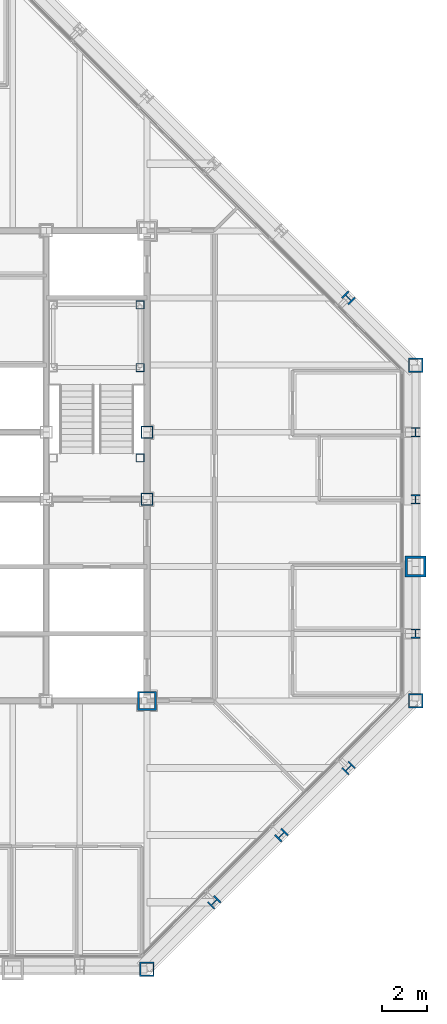
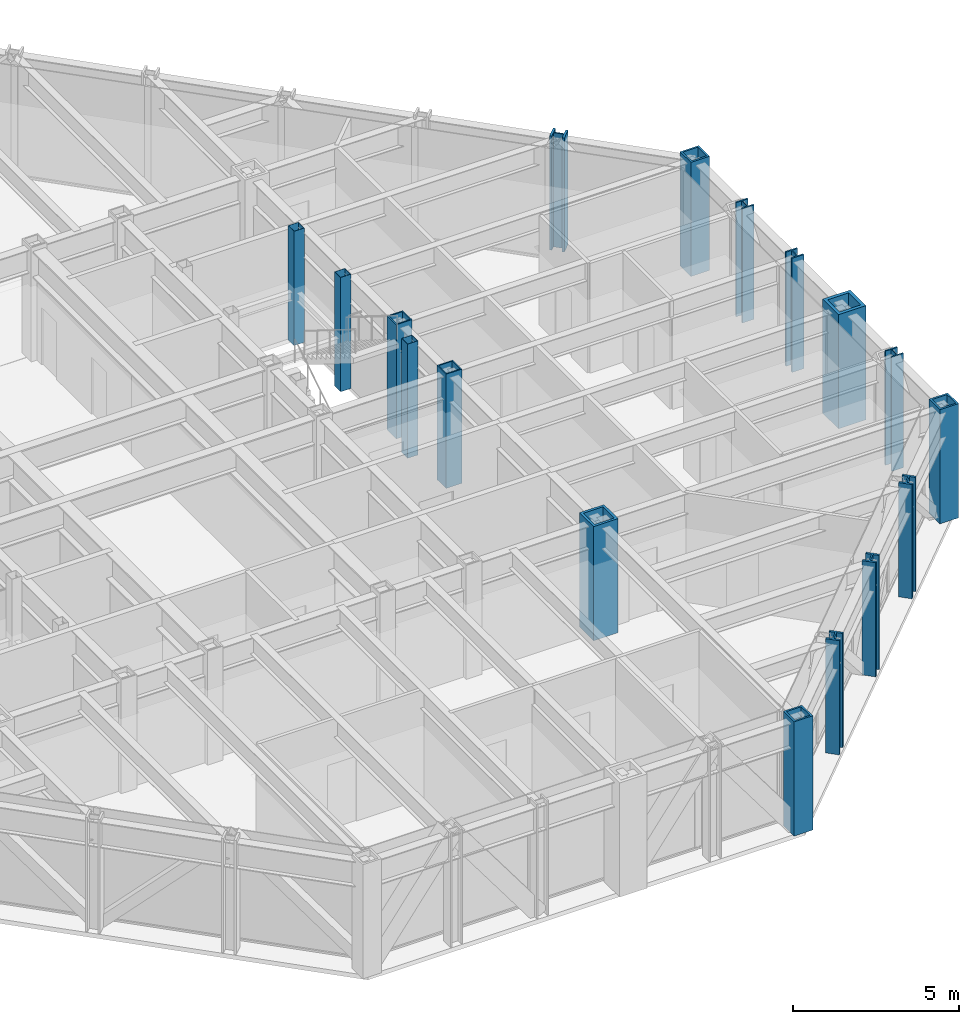
# One storey, part 3 of 16: 17 columns.
"""IFC4 building model written with IfcOpenShell, lengths in metres."""

from ifc_helpers import new_model, si_unit, direction, frame, origin, origin_2d, place, context, subcontext, project, spatial, hollow_rectangle, i_section, extrude, material, material_profile, profile_set, type_object, element, save


model = new_model("IFC4")

# Units and contexts
model_context = context("Model", 3, precision=1e-05, world=origin(), true_north=direction((0.0, 1.0)))
body_context = subcontext(model_context, "Body", "Model", "MODEL_VIEW")
ifc_project = project(units=[si_unit("LENGTHUNIT", "METRE"), si_unit("AREAUNIT", "SQUARE_METRE"), si_unit("VOLUMEUNIT", "CUBIC_METRE"), si_unit("PLANEANGLEUNIT", "RADIAN"), si_unit("MASSUNIT", "GRAM", prefix="KILO")], contexts=[model_context])

# Site, building, storey
site_placement = place(None, origin())
site = spatial("IfcSite", under=ifc_project, at=site_placement, CompositionType="ELEMENT")
building_placement = place(site_placement, origin())
building = spatial("IfcBuilding", under=site, at=building_placement, Name="Chuquiago Exchange Tower", CompositionType="ELEMENT")
storey_placement = place(building_placement, frame((0.0, 0.0, 226.5)))
storey = spatial("IfcBuildingStorey", under=building, at=storey_placement, Name="L50", CompositionType="ELEMENT", Elevation=226.5)

# Columns
ifc_material_1 = material(Name="Steel ASTM A992", Category="steel")
ifc_material_profile_1 = material_profile(ifc_material_1, i_section(OverallWidth=0.408935546875, OverallDepth=0.424072265625, WebThickness=0.03271484375, FlangeThickness=0.052490234375, at=origin_2d()), Name="W14X283")
ifc_profile_set_1 = profile_set([ifc_material_profile_1], Name="Steel ASTM A992")
column_type_1 = type_object("IfcColumnType", Name="C8 W14X283", PredefinedType="COLUMN", material=ifc_profile_set_1)
for number, where, z_axis, x_axis, name in (
    (1, (45.0, 15.0, 0.0), (0.0, 0.0, 1.0), (1.0, 0.0, 0.0), "COL-L50-45_15"),
    (2, (45.0, 21.0, 0.0), (0.0, 0.0, 1.0), (1.0, 0.0, 0.0), "COL-L50-45_21"),
    (3, (45.0, 24.0, 0.0), (0.0, 0.0, 1.0), (1.0, 0.0, 0.0), "COL-L50-45_24"),
):
    element("IfcColumn", number, at=place(storey_placement, frame(where, z_axis=z_axis, x_axis=x_axis)), inside=storey, type_object=column_type_1, Name=name, PredefinedType="COLUMN", context=body_context, shape_type="SweptSolid", body=[
        extrude(i_section(OverallWidth=0.408935546875, OverallDepth=0.424072265625, WebThickness=0.03271484375, FlangeThickness=0.052490234375, at=origin_2d()), origin(), (0.0, 0.0, 1.0), 4.199951171875),
    ])
ifc_material_2 = material(Name="Steel ASTM A572 Grade 50", Category="steel")
ifc_material_profile_2 = material_profile(ifc_material_2, hollow_rectangle(XDim=0.85009765625, YDim=0.85009765625, WallThickness=0.0849609375, at=origin_2d()), Name="BOX850X850X85")
ifc_profile_set_2 = profile_set([ifc_material_profile_2], Name="Steel ASTM A572 Grade 50")
column_type_2 = type_object("IfcColumnType", Name="CC6 BOX850X850X85", PredefinedType="COLUMN", material=ifc_profile_set_2)
column_1_placement = place(storey_placement, frame((33.0, 12.0, 0.0), z_axis=(0.0, 0.0, 1.0), x_axis=(1.0, 0.0, 0.0)))
element("IfcColumn", 4, at=column_1_placement, inside=storey, type_object=column_type_2, Name="CCOL-L50-33_12", PredefinedType="COLUMN", context=body_context, shape_type="SweptSolid", body=[
    extrude(hollow_rectangle(XDim=0.85009765625, YDim=0.85009765625, WallThickness=0.0849609375, at=origin_2d()), origin(), (0.0, 0.0, 1.0), 4.199951171875),
])
ifc_material_3 = material(Name="Steel ASTM A572 Grade 50", Category="steel")
ifc_material_profile_3 = material_profile(ifc_material_3, hollow_rectangle(XDim=0.550048828125, YDim=0.550048828125, WallThickness=0.044921875, at=origin_2d()), Name="BOX550X550X45")
ifc_profile_set_3 = profile_set([ifc_material_profile_3], Name="Steel ASTM A572 Grade 50")
column_type_3 = type_object("IfcColumnType", Name="CC8 BOX550X550X45", PredefinedType="COLUMN", material=ifc_profile_set_3)
for number, where, z_axis, x_axis, name in (
    (5, (33.0, 21.0, 0.0), (0.0, 0.0, 1.0), (1.0, 0.0, 0.0), "CCOL-L50-33_21"),
    (6, (33.0, 24.0, 0.0), (0.0, 0.0, 1.0), (1.0, 0.0, 0.0), "CCOL-L50-33_24"),
):
    element("IfcColumn", number, at=place(storey_placement, frame(where, z_axis=z_axis, x_axis=x_axis)), inside=storey, type_object=column_type_3, Name=name, PredefinedType="COLUMN", context=body_context, shape_type="SweptSolid", body=[
        extrude(hollow_rectangle(XDim=0.550048828125, YDim=0.550048828125, WallThickness=0.044921875, at=origin_2d()), origin(), (0.0, 0.0, 1.0), 4.199951171875),
    ])
ifc_material_4 = material(Name="Steel ASTM A992", Category="steel")
ifc_material_profile_4 = material_profile(ifc_material_4, i_section(OverallWidth=0.421630859375, OverallDepth=0.46484375, WebThickness=0.044921875, FlangeThickness=0.072509765625, at=origin_2d()), Name="W14X398")
ifc_profile_set_4 = profile_set([ifc_material_profile_4], Name="Steel ASTM A992")
column_type_4 = type_object("IfcColumnType", Name="CK7 W14X398", PredefinedType="COLUMN", material=ifc_profile_set_4)
for number, where, z_axis, x_axis, name in (
    (7, (36.0, 3.0, 0.0), (0.0, 0.0, 1.0), (0.707106781187, -0.707106781187, 0.0), "COL-L50-36_3"),
    (8, (39.0, 6.0, 0.0), (0.0, 0.0, 1.0), (0.707106781187, -0.707106781187, 0.0), "COL-L50-39_6"),
    (9, (42.0, 9.0, 0.0), (0.0, 0.0, 1.0), (0.707106781187, -0.707106781187, 0.0), "COL-L50-42_9"),
    (10, (42.0, 30.0, 0.0), (0.0, 0.0, 1.0), (0.707106781187, 0.707106781187, 0.0), "COL-L50-42_30"),
):
    element("IfcColumn", number, at=place(storey_placement, frame(where, z_axis=z_axis, x_axis=x_axis)), inside=storey, type_object=column_type_4, Name=name, PredefinedType="COLUMN", context=body_context, shape_type="SweptSolid", body=[
        extrude(i_section(OverallWidth=0.421630859375, OverallDepth=0.46484375, WebThickness=0.044921875, FlangeThickness=0.072509765625, at=origin_2d()), origin(), (0.0, 0.0, 1.0), 4.199951171875),
    ])
ifc_material_5 = material(Name="Steel ASTM A572 Grade 50", Category="steel")
ifc_material_profile_5 = material_profile(ifc_material_5, hollow_rectangle(XDim=0.64990234375, YDim=0.64990234375, WallThickness=0.06494140625, at=origin_2d()), Name="BOX650X650X65")
ifc_profile_set_5 = profile_set([ifc_material_profile_5], Name="Steel ASTM A572 Grade 50")
column_type_5 = type_object("IfcColumnType", Name="CN2 BOX650X650X65", PredefinedType="COLUMN", material=ifc_profile_set_5)
for number, where, z_axis, x_axis, name in (
    (11, (33.0, 0.0, 0.0), (0.0, 0.0, 1.0), (0.0, -1.0, 0.0), "COL-L50-33_0"),
    (12, (45.0, 12.0, 0.0), (0.0, 0.0, 1.0), (1.0, 0.0, 0.0), "COL-L50-45_12"),
    (13, (45.0, 27.0, 0.0), (0.0, 0.0, 1.0), (1.0, 0.0, 0.0), "COL-L50-45_27"),
):
    element("IfcColumn", number, at=place(storey_placement, frame(where, z_axis=z_axis, x_axis=x_axis)), inside=storey, type_object=column_type_5, Name=name, PredefinedType="COLUMN", context=body_context, shape_type="SweptSolid", body=[
        extrude(hollow_rectangle(XDim=0.64990234375, YDim=0.64990234375, WallThickness=0.06494140625, at=origin_2d()), origin(), (0.0, 0.0, 1.0), 4.199951171875),
    ])
ifc_material_6 = material(Name="Steel ASTM A572 Grade 42", Category="steel")
ifc_material_profile_6 = material_profile(ifc_material_6, hollow_rectangle(XDim=0.949951171875, YDim=0.949951171875, WallThickness=0.110107421875, at=origin_2d()), Name="BOX950X950X110")
ifc_profile_set_6 = profile_set([ifc_material_profile_6], Name="Steel ASTM A572 Grade 42")
column_type_6 = type_object("IfcColumnType", Name="CT1 BOX950X950X110", PredefinedType="COLUMN", material=ifc_profile_set_6)
column_2_placement = place(storey_placement, frame((45.0, 18.0, 0.0), z_axis=(0.0, 0.0, 1.0), x_axis=(1.0, 0.0, 0.0)))
element("IfcColumn", 14, at=column_2_placement, inside=storey, type_object=column_type_6, Name="COL-L50-45_18", PredefinedType="COLUMN", context=body_context, shape_type="SweptSolid", body=[
    extrude(hollow_rectangle(XDim=0.949951171875, YDim=0.949951171875, WallThickness=0.110107421875, at=origin_2d()), origin(), (0.0, 0.0, 1.0), 4.199951171875),
])
ifc_material_7 = material(Name="Steel ASTM A500 Grade C", Category="steel")
ifc_material_profile_7 = material_profile(ifc_material_7, hollow_rectangle(XDim=0.355712890625, YDim=0.355712890625, WallThickness=0.0087890625, at=origin_2d()), Name="HSS14X14X3/8")
ifc_profile_set_7 = profile_set([ifc_material_profile_7], Name="Steel ASTM A500 Grade C")
column_type_7 = type_object("IfcColumnType", Name="PT1 HSS14X14X3/8", PredefinedType="COLUMN", material=ifc_profile_set_7)
for number, where, z_axis, x_axis, name in (
    (15, (32.68994140625, 29.68994140625, 0.0), (0.0, 0.0, 1.0), (1.0, 0.0, 0.0), "Stair ST2 L50 landing post"),
    (16, (32.68994140625, 26.889892578125, 0.0), (0.0, 0.0, 1.0), (1.0, 0.0, 0.0), "Stair ST2 L50 landing post"),
    (17, (32.68994140625, 22.85009765625, 0.0), (0.0, 0.0, 1.0), (1.0, 0.0, 0.0), "Stair ST2 L50 landing post"),
):
    element("IfcColumn", number, at=place(storey_placement, frame(where, z_axis=z_axis, x_axis=x_axis)), inside=storey, type_object=column_type_7, Name=name, PredefinedType="COLUMN", context=body_context, shape_type="SweptSolid", body=[
        extrude(hollow_rectangle(XDim=0.355712890625, YDim=0.355712890625, WallThickness=0.0087890625, at=origin_2d()), origin(), (0.0, 0.0, 1.0), 4.199951171875),
    ])

save(model, "model.ifc")
